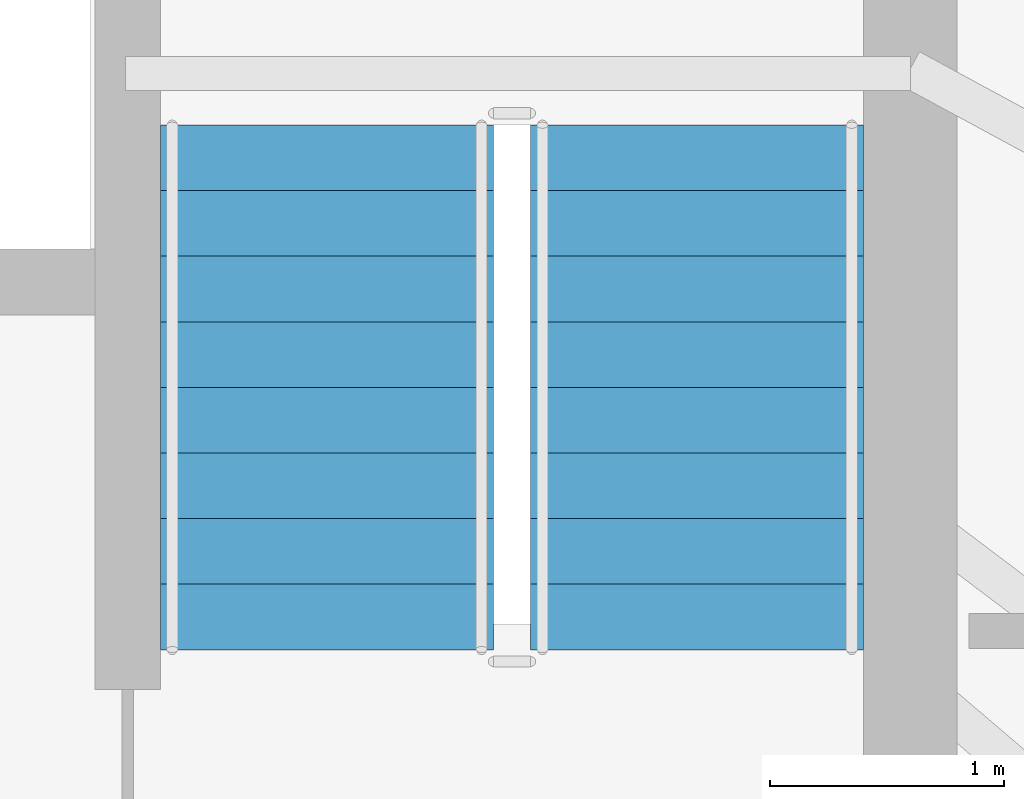
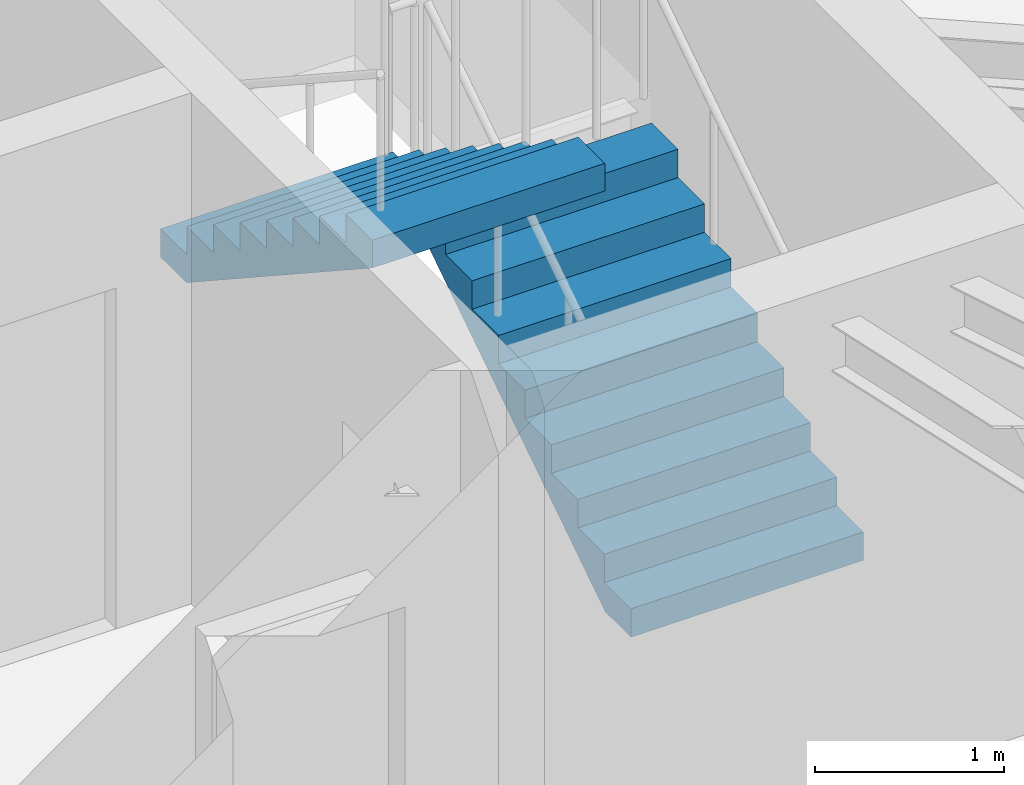
# One storey, part 26 of 29: 2 stair flights, 1 element without a shape of its own.
"""IFC4 building model written with IfcOpenShell, lengths in metres."""

from ifc_helpers import new_model, si_unit, direction, frame, origin, place, context, subcontext, project, spatial, polyline, outline, extrude, material, type_object, element, aggregate, save


model = new_model("IFC4")

# Units and contexts
model_context = context("Model", 3, precision=1e-05, world=origin(), true_north=direction((0.0, 1.0)))
body_context = subcontext(model_context, "Body", "Model", "MODEL_VIEW")
ifc_project = project(units=[si_unit("LENGTHUNIT", "METRE"), si_unit("AREAUNIT", "SQUARE_METRE"), si_unit("VOLUMEUNIT", "CUBIC_METRE"), si_unit("PLANEANGLEUNIT", "RADIAN"), si_unit("MASSUNIT", "GRAM", prefix="KILO")], contexts=[model_context])

# Site, building, storey
site_placement = place(None, origin())
site = spatial("IfcSite", under=ifc_project, at=site_placement, CompositionType="ELEMENT")
building_placement = place(site_placement, origin())
building = spatial("IfcBuilding", under=site, at=building_placement, Name="Orvanel Arch Residences", CompositionType="ELEMENT")
storey_placement = place(building_placement, frame((0.0, 0.0, 170.449951171875)))
storey = spatial("IfcBuildingStorey", under=building, at=storey_placement, Name="L48", CompositionType="ELEMENT", Elevation=170.449951171875)

# Stair, stair flights
ifc_material = material(Name="Precast concrete N50 (50 MPa)", Category="concrete")
stair_type = type_object("IfcStairType", Name="STR-DOG-184", PredefinedType="USERDEFINED", material=ifc_material)
stair_placement = place(storey_placement, origin())
stair = element("IfcStair", 1, at=stair_placement, inside=storey, type_object=stair_type, Name="L48 Fire-Isolated Core Exit Stair 2", ObjectType="TWO_RETURN_STAIR", PredefinedType="USERDEFINED")
stair_flight_type = type_object("IfcStairFlightType", Name="SFL-C2-184", PredefinedType="STRAIGHT", material=ifc_material)
stair_flight_1_placement = place(storey_placement, frame((38.68994140625, 28.320068359375, 0.0), z_axis=(0.0, 0.0, 1.0), x_axis=(0.0, 1.0, 0.0)))
stair_flight_1 = element("IfcStairFlight", 2, at=stair_flight_1_placement, type_object=stair_flight_type, Name="ST-2 flight 1", NumberOfRisers=9, NumberOfTreads=8, PredefinedType="STRAIGHT", RiserHeight=0.183333333, TreadLength=0.28, context=body_context, shape_type="SweptSolid", body=[
    extrude(outline(polyline([(0.0, 0.0), (0.0, 0.183349609375), (0.280029296875, 0.183349609375), (0.280029296875, 0.36669921875), (0.56005859375, 0.36669921875), (0.56005859375, 0.550048828125), (0.840087890625, 0.550048828125), (0.840087890625, 0.7333984375), (1.1201171875, 0.7333984375), (1.1201171875, 0.916748046875), (1.39990234375, 0.916748046875), (1.39990234375, 1.10009765625), (1.679931640625, 1.10009765625), (1.679931640625, 1.283447265625), (1.9599609375, 1.283447265625), (1.9599609375, 1.466552734375), (2.239990234375, 1.466552734375), (2.239990234375, 1.64990234375), (2.239990234375, 1.28759765625), (0.273681640625, 0.0), (0.0, 0.0)])), frame((0.0, 0.7099609375, 0.0), z_axis=(0.0, -1.0, 0.0), x_axis=(1.0, 0.0, 0.0)), (0.0, 0.0, 1.0), 1.419921875),
])
stair_flight_2_placement = place(storey_placement, frame((37.110107421875, 30.56005859375, 1.650146484375), z_axis=(0.0, 0.0, 1.0), x_axis=(0.0, -1.0, 0.0)))
stair_flight_2 = element("IfcStairFlight", 3, at=stair_flight_2_placement, type_object=stair_flight_type, Name="ST-2 flight 2", NumberOfRisers=9, NumberOfTreads=8, PredefinedType="STRAIGHT", RiserHeight=0.183333333, TreadLength=0.28, context=body_context, shape_type="SweptSolid", body=[
    extrude(outline(polyline([(0.0, 0.0), (0.0, 0.183349609375), (0.280029296875, 0.183349609375), (0.280029296875, 0.36669921875), (0.56005859375, 0.36669921875), (0.56005859375, 0.550048828125), (0.840087890625, 0.550048828125), (0.840087890625, 0.7333984375), (1.1201171875, 0.7333984375), (1.1201171875, 0.916748046875), (1.39990234375, 0.916748046875), (1.39990234375, 1.10009765625), (1.679931640625, 1.10009765625), (1.679931640625, 1.283447265625), (1.9599609375, 1.283447265625), (1.9599609375, 1.466552734375), (2.239990234375, 1.466552734375), (2.239990234375, 1.64990234375), (2.239990234375, 1.28759765625), (0.273681640625, 0.0), (0.0, 0.0)])), frame((0.0, 0.7099609375, 0.0), z_axis=(0.0, -1.0, 0.0), x_axis=(1.0, 0.0, 0.0)), (0.0, 0.0, 1.0), 1.419921875),
])
aggregate(stair, [stair_flight_1, stair_flight_2])

save(model, "model.ifc")
